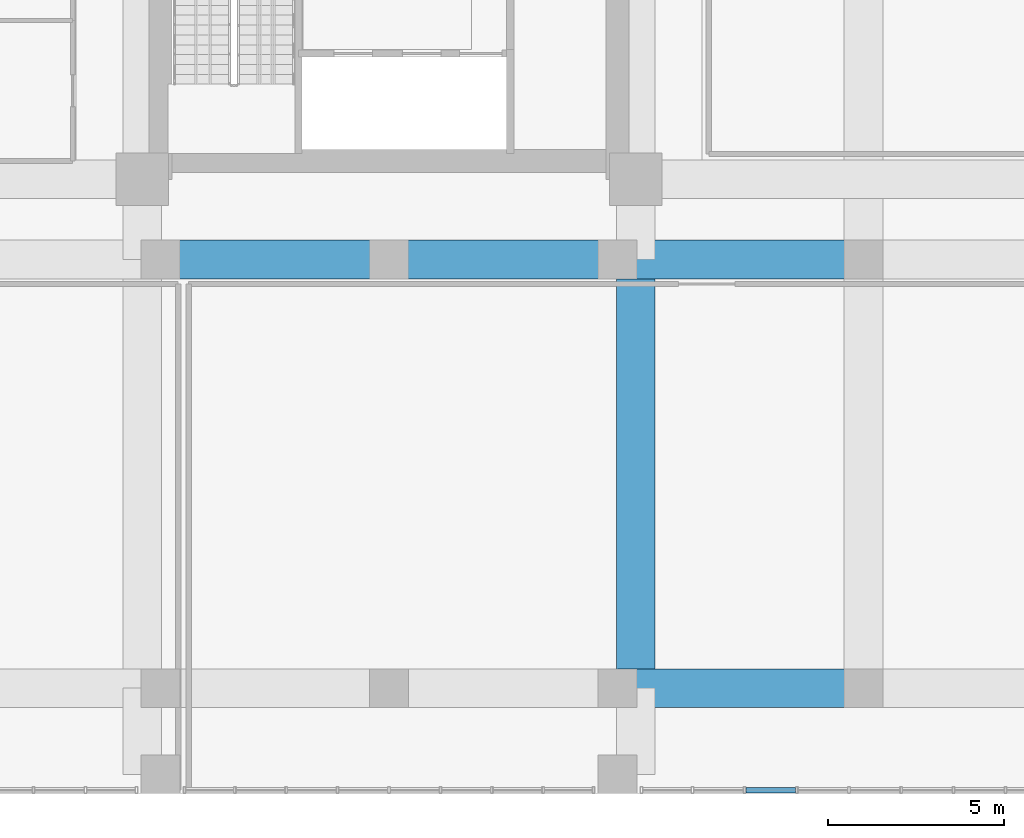
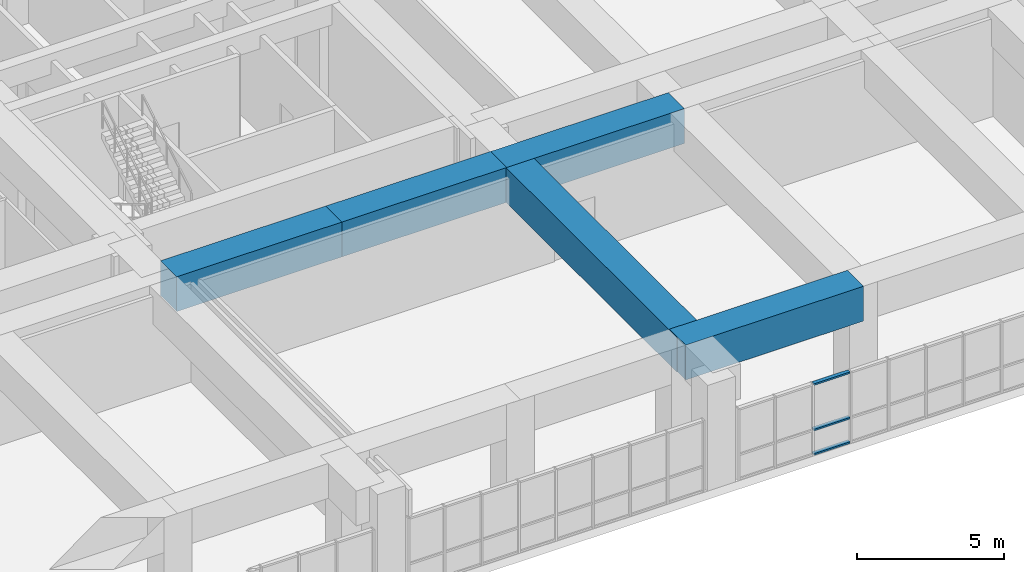
# One storey, part 7 of 28: 5 beams, 3 members, 1 element without a shape of its own.
"""IFC4 building model written with IfcOpenShell, lengths in metres."""

from ifc_helpers import new_model, si_unit, direction, frame, origin, origin_2d, place, context, subcontext, project, spatial, rectangle, hollow_rectangle, extrude, source, transform, mapped, material, layer, layer_set, material_profile, profile_set, type_object, element, aggregate, save


model = new_model("IFC4")

# Units and contexts
model_context = context("Model", 3, precision=1e-05, world=origin(), true_north=direction((0.0, 1.0)))
body_context = subcontext(model_context, "Body", "Model", "MODEL_VIEW")
ifc_project = project(units=[si_unit("LENGTHUNIT", "METRE"), si_unit("AREAUNIT", "SQUARE_METRE"), si_unit("VOLUMEUNIT", "CUBIC_METRE"), si_unit("PLANEANGLEUNIT", "RADIAN"), si_unit("MASSUNIT", "GRAM", prefix="KILO")], contexts=[model_context])

# Site, building, storey
site_placement = place(None, origin())
site = spatial("IfcSite", under=ifc_project, at=site_placement, CompositionType="ELEMENT")
building_placement = place(site_placement, origin())
building = spatial("IfcBuilding", under=site, at=building_placement, Name="Saelheon Loggia Tower", CompositionType="ELEMENT")
storey_placement = place(building_placement, frame((0.0, 0.0, 15.0)))
storey = spatial("IfcBuildingStorey", under=building, at=storey_placement, Name="L04", CompositionType="ELEMENT", Elevation=15.0)

# Beams
ifc_material_1 = material(Name="Concrete C50/60", Category="concrete")
ifc_material_profile_1 = material_profile(ifc_material_1, rectangle(XDim=1.10009765625, YDim=1.449951171875, at=origin_2d()), Name="RC-1100x1450")
ifc_profile_set_1 = profile_set([ifc_material_profile_1], Name="Concrete C50/60")
beam_type = type_object("IfcBeamType", Name="Beam_Transfer_RC1100x1450", PredefinedType="BEAM", material=ifc_profile_set_1)
shared_shape_1 = source(origin(), body_context, "Body", "SweptSolid", [
    extrude(rectangle(XDim=1.10009765625, YDim=1.449951171875, at=origin_2d()), origin(), (0.0, 0.0, 1.0), 7.0),
])
for number, where, z_axis, x_axis, name in (
    (1, (44.5, 3.0, 3.675048828125), (1.0, 0.0, 0.0), (0.0, 1.0, 0.0), "BM-L04-EW-3-6"),
    (2, (44.5, 15.199951171875, 3.675048828125), (1.0, 0.0, 0.0), (0.0, 1.0, 0.0), "BM-L04-EW-15-6"),
):
    element("IfcBeam", number, at=place(storey_placement, frame(where, z_axis=z_axis, x_axis=x_axis)), inside=storey, type_object=beam_type, Name=name, PredefinedType="BEAM", context=body_context, shape_type="MappedRepresentation", body=[
        mapped(shared_shape_1, transform((0.0, 0.0, 0.0), scale=1.0)),
    ])
shared_shape_2 = source(origin(), body_context, "Body", "SweptSolid", [
    extrude(rectangle(XDim=1.10009765625, YDim=1.449951171875, at=origin_2d()), origin(), (0.0, 0.0, 1.0), 6.5),
])
for number, where, z_axis, x_axis, name in (
    (3, (31.5, 15.199951171875, 3.675048828125), (1.0, 0.0, 0.0), (0.0, 1.0, 0.0), "BM-L04-EW-15-4"),
    (4, (38.0, 15.199951171875, 3.675048828125), (1.0, 0.0, 0.0), (0.0, 1.0, 0.0), "BM-L04-EW-15-5"),
):
    element("IfcBeam", number, at=place(storey_placement, frame(where, z_axis=z_axis, x_axis=x_axis)), inside=storey, type_object=beam_type, Name=name, PredefinedType="BEAM", context=body_context, shape_type="MappedRepresentation", body=[
        mapped(shared_shape_2, transform((0.0, 0.0, 0.0), scale=1.0)),
    ])
shared_shape_3 = source(origin(), body_context, "Body", "SweptSolid", [
    extrude(rectangle(XDim=1.10009765625, YDim=1.449951171875, at=origin_2d()), origin(), (0.0, 0.0, 1.0), 12.199951171875),
])
beam_placement = place(storey_placement, frame((45.02001953125, 3.0, 3.675048828125), z_axis=(0.0, 1.0, 0.0), x_axis=(-1.0, 0.0, 0.0)))
element("IfcBeam", 5, at=beam_placement, inside=storey, type_object=beam_type, Name="BM-L04-NS-45-2", PredefinedType="BEAM", context=body_context, shape_type="MappedRepresentation", body=[
    mapped(shared_shape_3, transform((0.0, 0.0, 0.0), scale=1.0)),
])

# Curtain wall, members
ifc_material_2 = material(Name="Aluminium 6063-T6 and Low-E IGU", Category="aluminium")
ifc_layer = layer(ifc_material_2, 0.179931640625)
ifc_layer_set = layer_set([ifc_layer], Name="Aluminium 6063-T6 and Low-E IGU")
curtain_wall_type = type_object("IfcCurtainWallType", Name="CW_PodiumClinic", PredefinedType="NOTDEFINED", material=ifc_layer_set)
curtain_wall_placement = place(storey_placement, origin())
curtain_wall = element("IfcCurtainWall", 6, at=curtain_wall_placement, inside=storey, type_object=curtain_wall_type, Name="L04 South Clinic Curtain Wall 3", PredefinedType="NOTDEFINED")
ifc_material_3 = material(Name="Anodised Aluminium 6063-T6", Category="aluminium")
ifc_material_profile_2 = material_profile(ifc_material_3, hollow_rectangle(XDim=0.070068359375, YDim=0.14990234375, WallThickness=0.0048828125, at=origin_2d()), Name="RHS-150x70x5")
ifc_profile_set_2 = profile_set([ifc_material_profile_2], Name="Anodised Aluminium 6063-T6")
member_type = type_object("IfcMemberType", Name="CW_PodiumClinic_Transom", PredefinedType="USERDEFINED", material=ifc_profile_set_2)
shared_shape_4 = source(origin(), body_context, "Body", "SweptSolid", [
    extrude(hollow_rectangle(XDim=0.070068359375, YDim=0.14990234375, WallThickness=0.0048828125, at=origin_2d()), origin(), (0.0, 0.0, 1.0), 1.4150390625),
])
member_1_placement = place(storey_placement, frame((48.155029296875, 0.10009765625, 0.034912109375), z_axis=(1.0, 0.0, 0.0), x_axis=(0.0, 0.0, 1.0)))
member_1 = element("IfcMember", 7, at=member_1_placement, type_object=member_type, Name="CW1 transom 3.1", ObjectType="TRANSOM", PredefinedType="USERDEFINED", context=body_context, shape_type="MappedRepresentation", body=[
    mapped(shared_shape_4, transform((0.0, 0.0, 0.0), scale=1.0)),
])
member_2_placement = place(storey_placement, frame((48.155029296875, 0.10009765625, 1.050048828125), z_axis=(1.0, 0.0, 0.0), x_axis=(0.0, 0.0, 1.0)))
member_2 = element("IfcMember", 8, at=member_2_placement, type_object=member_type, Name="CW1 transom 3.2", ObjectType="TRANSOM", PredefinedType="USERDEFINED", context=body_context, shape_type="MappedRepresentation", body=[
    mapped(shared_shape_4, transform((0.0, 0.0, 0.0), scale=1.0)),
])
member_3_placement = place(storey_placement, frame((48.155029296875, 0.10009765625, 2.945068359375), z_axis=(1.0, 0.0, 0.0), x_axis=(0.0, 0.0, 1.0)))
member_3 = element("IfcMember", 9, at=member_3_placement, type_object=member_type, Name="CW1 transom 3.3", ObjectType="TRANSOM", PredefinedType="USERDEFINED", context=body_context, shape_type="MappedRepresentation", body=[
    mapped(shared_shape_4, transform((0.0, 0.0, 0.0), scale=1.0)),
])
aggregate(curtain_wall, [member_1, member_2, member_3])

save(model, "model.ifc")
